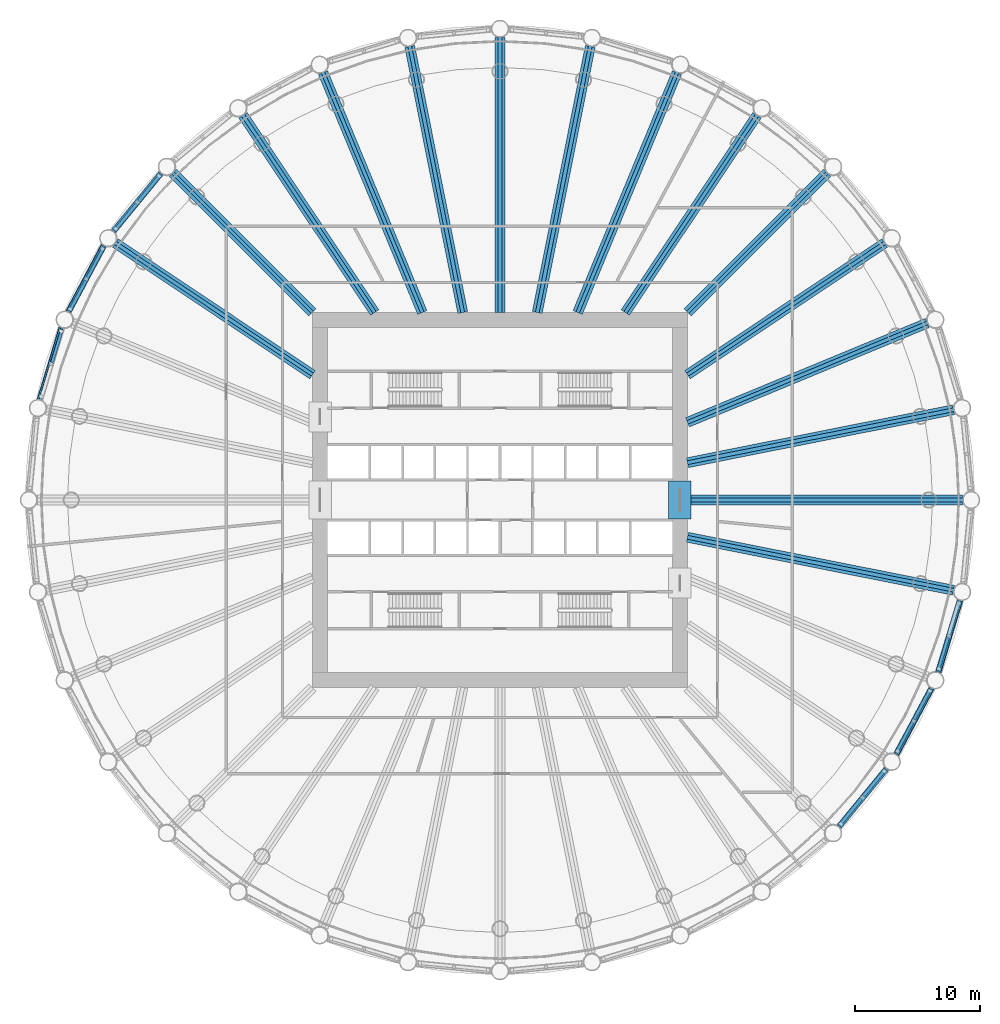
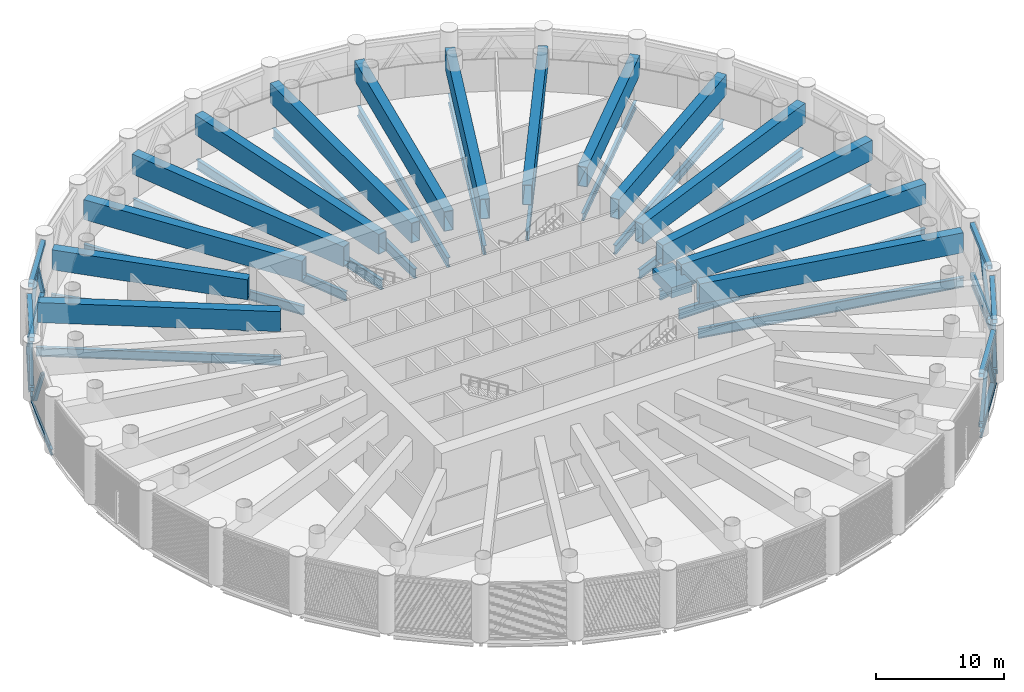
# One storey, part 3 of 26: 37 beams, 26 members, 6 elements without a shape of their own.
"""IFC4 building model written with IfcOpenShell, lengths in metres."""

from ifc_helpers import new_model, si_unit, direction, frame, origin, origin_2d, place, context, subcontext, project, spatial, rectangle, hollow_rectangle, i_section, extrude, material, material_profile, profile_set, type_object, element, aggregate, save


model = new_model("IFC4")

# Units and contexts
model_context = context("Model", 3, precision=1e-05, world=origin(), true_north=direction((0.0, 1.0)))
body_context = subcontext(model_context, "Body", "Model", "MODEL_VIEW")
ifc_project = project(units=[si_unit("LENGTHUNIT", "METRE"), si_unit("AREAUNIT", "SQUARE_METRE"), si_unit("VOLUMEUNIT", "CUBIC_METRE"), si_unit("PLANEANGLEUNIT", "RADIAN"), si_unit("MASSUNIT", "GRAM", prefix="KILO")], contexts=[model_context])

# Site, building, storey
site_placement = place(None, origin())
site = spatial("IfcSite", under=ifc_project, at=site_placement, CompositionType="ELEMENT")
building_placement = place(site_placement, origin())
building = spatial("IfcBuilding", under=site, at=building_placement, Name="Corvane Civic Tower", CompositionType="ELEMENT")
storey_placement = place(building_placement, frame((0.0, 0.0, 85.0)))
storey = spatial("IfcBuildingStorey", under=building, at=storey_placement, Name="L19", CompositionType="ELEMENT", Elevation=85.0)

# Members
ifc_material_1 = material(Name="Steel ASTM A500 Gr C", Category="steel")
ifc_material_profile_1 = material_profile(ifc_material_1, hollow_rectangle(XDim=0.406494140625, YDim=0.406494140625, WallThickness=0.0146484375, at=origin_2d()), Name="HSS16X16X5/8")
ifc_profile_set_1 = profile_set([ifc_material_profile_1], Name="Steel ASTM A500 Gr C")
member_type_1 = type_object("IfcMemberType", Name="BELT CHORD HSS16X16X5/8", PredefinedType="CHORD", material=ifc_profile_set_1)
for number, where, z_axis, x_axis, name in (
    (1, (36.7724609375, -8.02490234375, 4.94677734375), (-0.290300347181, -0.956935582172, 0.0), (0.956935582172, -0.290300347181, 0.0), "Belt truss BT-L19"),
    (2, (36.7724609375, -8.02490234375, 0.203125), (-0.290300347181, -0.956935582172, 0.0), (0.956935582172, -0.290300347181, 0.0), "Belt truss BT-L19"),
):
    element("IfcMember", number, at=place(storey_placement, frame(where, z_axis=z_axis, x_axis=x_axis)), inside=storey, type_object=member_type_1, Name=name, PredefinedType="CHORD", context=body_context, shape_type="SweptSolid", body=[
        extrude(hollow_rectangle(XDim=0.406494140625, YDim=0.406494140625, WallThickness=0.0146484375, at=origin_2d()), origin(), (0.0, 0.0, 1.0), 5.990478515625),
    ])
for number, where, z_axis, x_axis, name in (
    (3, (34.500244140625, -15.044677734375, 4.94677734375), (-0.471387655772, -0.881926118213, 0.0), (0.881926118213, -0.471387655772, 0.0), "Belt truss BT-L19"),
    (4, (34.500244140625, -15.044677734375, 0.203125), (-0.471387655772, -0.881926118213, 0.0), (0.881926118213, -0.471387655772, 0.0), "Belt truss BT-L19"),
):
    element("IfcMember", number, at=place(storey_placement, frame(where, z_axis=z_axis, x_axis=x_axis)), inside=storey, type_object=member_type_1, Name=name, PredefinedType="CHORD", context=body_context, shape_type="SweptSolid", body=[
        extrude(hollow_rectangle(XDim=0.406494140625, YDim=0.406494140625, WallThickness=0.0146484375, at=origin_2d()), origin(), (0.0, 0.0, 1.0), 5.990234375),
    ])
for number, where, z_axis, x_axis, name in (
    (5, (30.90234375, -21.486083984375, 4.94677734375), (-0.634377812851, -0.773023150081, 0.0), (0.773023150081, -0.634377812851, 0.0), "Belt truss BT-L19"),
    (6, (30.90234375, -21.486083984375, 0.203125), (-0.634377812851, -0.773023150081, 0.0), (0.773023150081, -0.634377812851, 0.0), "Belt truss BT-L19"),
):
    element("IfcMember", number, at=place(storey_placement, frame(where, z_axis=z_axis, x_axis=x_axis)), inside=storey, type_object=member_type_1, Name=name, PredefinedType="CHORD", context=body_context, shape_type="SweptSolid", body=[
        extrude(hollow_rectangle(XDim=0.406494140625, YDim=0.406494140625, WallThickness=0.0146484375, at=origin_2d()), origin(), (0.0, 0.0, 1.0), 5.990478515625),
    ])
for number, where, z_axis, x_axis, name in (
    (7, (-34.500244140625, 15.044677734375, 4.94677734375), (0.471387655772, 0.881926118213, 0.0), (-0.881926118213, 0.471387655772, 0.0), "Belt truss BT-L19"),
    (8, (-34.500244140625, 15.044677734375, 0.203125), (0.471387655772, 0.881926118213, 0.0), (-0.881926118213, 0.471387655772, 0.0), "Belt truss BT-L19"),
):
    element("IfcMember", number, at=place(storey_placement, frame(where, z_axis=z_axis, x_axis=x_axis)), inside=storey, type_object=member_type_1, Name=name, PredefinedType="CHORD", context=body_context, shape_type="SweptSolid", body=[
        extrude(hollow_rectangle(XDim=0.406494140625, YDim=0.406494140625, WallThickness=0.0146484375, at=origin_2d()), origin(), (0.0, 0.0, 1.0), 5.990234375),
    ])
for number, where, z_axis, x_axis, name in (
    (9, (-30.90234375, 21.486083984375, 4.94677734375), (0.634377812851, 0.773023150081, 0.0), (-0.773023150081, 0.634377812851, 0.0), "Belt truss BT-L19"),
    (10, (-30.90234375, 21.486083984375, 0.203125), (0.634377812851, 0.773023150081, 0.0), (-0.773023150081, 0.634377812851, 0.0), "Belt truss BT-L19"),
):
    element("IfcMember", number, at=place(storey_placement, frame(where, z_axis=z_axis, x_axis=x_axis)), inside=storey, type_object=member_type_1, Name=name, PredefinedType="CHORD", context=body_context, shape_type="SweptSolid", body=[
        extrude(hollow_rectangle(XDim=0.406494140625, YDim=0.406494140625, WallThickness=0.0146484375, at=origin_2d()), origin(), (0.0, 0.0, 1.0), 5.990478515625),
    ])
ifc_material_2 = material(Name="Steel ASTM A500 Gr C", Category="steel")
ifc_material_profile_2 = material_profile(ifc_material_2, hollow_rectangle(XDim=0.3046875, YDim=0.3046875, WallThickness=0.01171875, at=origin_2d()), Name="HSS12X12X1/2")
ifc_profile_set_2 = profile_set([ifc_material_profile_2], Name="Steel ASTM A500 Gr C")
member_type_2 = type_object("IfcMemberType", Name="BELT DIAGONAL HSS12X12X1/2", PredefinedType="BRACE", material=ifc_profile_set_2)
member_1_placement = place(storey_placement, frame((35.106201171875, -13.51806640625, 0.406494140625), z_axis=(0.155201572288, 0.511789432368, 0.844975768218), x_axis=(-0.956965292503, 0.290202393071, 0.0)))
element("IfcMember", 11, at=member_1_placement, inside=storey, type_object=member_type_2, Name="Belt truss BT-L19", PredefinedType="BRACE", context=body_context, shape_type="SweptSolid", body=[
    extrude(hollow_rectangle(XDim=0.3046875, YDim=0.3046875, WallThickness=0.01171875, at=origin_2d()), origin(), (0.0, 0.0, 1.0), 5.1328125),
])
member_2_placement = place(storey_placement, frame((34.382568359375, -15.26513671875, 0.406494140625), z_axis=(-0.252130674357, -0.471680795624, 0.844954052057), x_axis=(0.881911908115, -0.47141424069, 0.0)))
element("IfcMember", 12, at=member_2_placement, inside=storey, type_object=member_type_2, Name="Belt truss BT-L19", PredefinedType="BRACE", context=body_context, shape_type="SweptSolid", body=[
    extrude(hollow_rectangle(XDim=0.3046875, YDim=0.3046875, WallThickness=0.01171875, at=origin_2d()), origin(), (0.0, 0.0, 1.0), 5.133056640625),
])
for number, where, z_axis, x_axis, name in (
    (13, (31.794189453125, -20.107177734375, 0.406494140625), (0.252136330684, 0.471643813443, 0.844973007847), (-0.881892142907, 0.471451215163, 0.0), "Belt truss BT-L19"),
    (14, (30.74365234375, -21.679443359375, 0.406494140625), (-0.339272317529, -0.413424223183, 0.844970239857), (0.773025283814, -0.634375212776, 0.0), "Belt truss BT-L19"),
    (15, (27.2607421875, -25.923583984375, 0.406494140625), (0.339272317529, 0.413424223183, 0.844970239857), (-0.773025283814, 0.634375212776, 0.0), "Belt truss BT-L19"),
    (16, (-35.106201171875, 13.51806640625, 0.406494140625), (-0.155201572288, -0.511789432368, 0.844975768218), (0.956965292503, -0.290202393071, 0.0), "Belt truss BT-L19"),
):
    element("IfcMember", number, at=place(storey_placement, frame(where, z_axis=z_axis, x_axis=x_axis)), inside=storey, type_object=member_type_2, Name=name, PredefinedType="BRACE", context=body_context, shape_type="SweptSolid", body=[
        extrude(hollow_rectangle(XDim=0.3046875, YDim=0.3046875, WallThickness=0.01171875, at=origin_2d()), origin(), (0.0, 0.0, 1.0), 5.1328125),
    ])
member_3_placement = place(storey_placement, frame((-34.382568359375, 15.26513671875, 0.406494140625), z_axis=(0.252130674357, 0.471680795624, 0.844954052057), x_axis=(-0.881911908115, 0.47141424069, 0.0)))
element("IfcMember", 17, at=member_3_placement, inside=storey, type_object=member_type_2, Name="Belt truss BT-L19", PredefinedType="BRACE", context=body_context, shape_type="SweptSolid", body=[
    extrude(hollow_rectangle(XDim=0.3046875, YDim=0.3046875, WallThickness=0.01171875, at=origin_2d()), origin(), (0.0, 0.0, 1.0), 5.133056640625),
])
for number, where, z_axis, x_axis, name in (
    (18, (-31.794189453125, 20.107177734375, 0.406494140625), (-0.252136330684, -0.471643813443, 0.844973007847), (0.881892142907, -0.471451215163, 0.0), "Belt truss BT-L19"),
    (19, (-30.74365234375, 21.679443359375, 0.406494140625), (0.339272317529, 0.413424223183, 0.844970239857), (-0.773025283814, 0.634375212776, 0.0), "Belt truss BT-L19"),
    (20, (-27.2607421875, 25.923583984375, 0.406494140625), (-0.339272317529, -0.413424223183, 0.844970239857), (0.773025283814, -0.634375212776, 0.0), "Belt truss BT-L19"),
):
    element("IfcMember", number, at=place(storey_placement, frame(where, z_axis=z_axis, x_axis=x_axis)), inside=storey, type_object=member_type_2, Name=name, PredefinedType="BRACE", context=body_context, shape_type="SweptSolid", body=[
        extrude(hollow_rectangle(XDim=0.3046875, YDim=0.3046875, WallThickness=0.01171875, at=origin_2d()), origin(), (0.0, 0.0, 1.0), 5.1328125),
    ])

# Beams
ifc_material_3 = material(Name="Concrete C80/95", Category="concrete")
ifc_material_profile_3 = material_profile(ifc_material_3, rectangle(XDim=1.800048828125, YDim=1.0, at=origin_2d()), Name="COUPLING BEAM 1800X1000")
ifc_profile_set_3 = profile_set([ifc_material_profile_3], Name="Concrete C80/95")
beam_type_1 = type_object("IfcBeamType", Name="COUPLING BEAM COUPLING BEAM 1800X1000", PredefinedType="BEAM", material=ifc_profile_set_3)
beam_1_placement = place(storey_placement, frame((14.39990234375, -1.5, 2.60009765625), z_axis=(0.0, 1.0, 0.0), x_axis=(-1.0, 0.0, 0.0)))
element("IfcBeam", 21, at=beam_1_placement, inside=storey, type_object=beam_type_1, Name="BM-L19-cpl-CW-LE", PredefinedType="BEAM", context=body_context, shape_type="SweptSolid", body=[
    extrude(rectangle(XDim=1.800048828125, YDim=1.0, at=origin_2d()), origin(), (0.0, 0.0, 1.0), 3.0),
])
ifc_material_4 = material(Name="Steel ASTM A992 Gr 50", Category="steel")
ifc_material_profile_4 = material_profile(ifc_material_4, i_section(OverallWidth=0.209228515625, OverallDepth=0.533447265625, WebThickness=0.01025390625, FlangeThickness=0.015625, at=origin_2d()), Name="W21X62")
ifc_profile_set_4 = profile_set([ifc_material_profile_4], Name="Steel ASTM A992 Gr 50")
beam_type_2 = type_object("IfcBeamType", Name="EDGE BEAM W21X62", PredefinedType="BEAM", material=ifc_profile_set_4)
for number, where, z_axis, x_axis, name in (
    (22, (36.81591796875, -7.88134765625, -0.61669921875), (-0.290273452184, -0.956943740748, 0.0), (0.956943740748, -0.290273452184, 0.0), "BM-L19-E10"),
    (23, (34.571044921875, -14.912353515625, -0.61669921875), (-0.471405897311, -0.881916367906, 0.0), (0.881916367906, -0.471405897311, 0.0), "BM-L19-E11"),
):
    element("IfcBeam", number, at=place(storey_placement, frame(where, z_axis=z_axis, x_axis=x_axis)), inside=storey, type_object=beam_type_2, Name=name, PredefinedType="BEAM", context=body_context, shape_type="SweptSolid", body=[
        extrude(i_section(OverallWidth=0.209228515625, OverallDepth=0.533447265625, WebThickness=0.01025390625, FlangeThickness=0.015625, at=origin_2d()), origin(), (0.0, 0.0, 1.0), 6.290283203125),
    ])
beam_2_placement = place(storey_placement, frame((30.99755859375, -21.3701171875, -0.61669921875), z_axis=(-0.634386787141, -0.773015785286, 0.0), x_axis=(0.773015785286, -0.634386787141, 0.0)))
element("IfcBeam", 24, at=beam_2_placement, inside=storey, type_object=beam_type_2, Name="BM-L19-E12", PredefinedType="BEAM", context=body_context, shape_type="SweptSolid", body=[
    extrude(i_section(OverallWidth=0.209228515625, OverallDepth=0.533447265625, WebThickness=0.01025390625, FlangeThickness=0.015625, at=origin_2d()), origin(), (0.0, 0.0, 1.0), 6.290771484375),
])
for number, where, z_axis, x_axis, name in (
    (25, (-36.81591796875, 7.88134765625, -0.61669921875), (0.290273452184, 0.956943740748, 0.0), (-0.956943740748, 0.290273452184, 0.0), "BM-L19-E26"),
    (26, (-34.571044921875, 14.912353515625, -0.61669921875), (0.471405897311, 0.881916367906, 0.0), (-0.881916367906, 0.471405897311, 0.0), "BM-L19-E27"),
):
    element("IfcBeam", number, at=place(storey_placement, frame(where, z_axis=z_axis, x_axis=x_axis)), inside=storey, type_object=beam_type_2, Name=name, PredefinedType="BEAM", context=body_context, shape_type="SweptSolid", body=[
        extrude(i_section(OverallWidth=0.209228515625, OverallDepth=0.533447265625, WebThickness=0.01025390625, FlangeThickness=0.015625, at=origin_2d()), origin(), (0.0, 0.0, 1.0), 6.290283203125),
    ])
beam_3_placement = place(storey_placement, frame((-30.99755859375, 21.3701171875, -0.61669921875), z_axis=(0.634386787141, 0.773015785286, 0.0), x_axis=(-0.773015785286, 0.634386787141, 0.0)))
element("IfcBeam", 27, at=beam_3_placement, inside=storey, type_object=beam_type_2, Name="BM-L19-E28", PredefinedType="BEAM", context=body_context, shape_type="SweptSolid", body=[
    extrude(i_section(OverallWidth=0.209228515625, OverallDepth=0.533447265625, WebThickness=0.01025390625, FlangeThickness=0.015625, at=origin_2d()), origin(), (0.0, 0.0, 1.0), 6.290771484375),
])
ifc_material_5 = material(Name="Steel ASTM A992 Gr 50", Category="steel")
ifc_material_profile_5 = material_profile(ifc_material_5, i_section(OverallWidth=0.256591796875, OverallDepth=0.693359375, WebThickness=0.014404296875, FlangeThickness=0.023681640625, at=origin_2d()), Name="W27X114")
ifc_profile_set_5 = profile_set([ifc_material_profile_5], Name="Steel ASTM A992 Gr 50")
beam_type_3 = type_object("IfcBeamType", Name="FLOOR GIRDER W27X114", PredefinedType="BEAM", material=ifc_profile_set_5)
for number, where, z_axis, x_axis, name in (
    (28, (15.0, 15.0, -0.69677734375), (0.707106781187, 0.707106781187, 0.0), (-0.707106781187, 0.707106781187, 0.0), "BM-L19-G05"),
    (29, (-15.0, 15.0, -0.69677734375), (-0.707106781187, 0.707106781187, 0.0), (-0.707106781187, -0.707106781187, 0.0), "BM-L19-G29"),
):
    element("IfcBeam", number, at=place(storey_placement, frame(where, z_axis=z_axis, x_axis=x_axis)), inside=storey, type_object=beam_type_3, Name=name, PredefinedType="BEAM", context=body_context, shape_type="SweptSolid", body=[
        extrude(i_section(OverallWidth=0.256591796875, OverallDepth=0.693359375, WebThickness=0.014404296875, FlangeThickness=0.023681640625, at=origin_2d()), origin(), (0.0, 0.0, 1.0), 15.936767578125),
    ])
ifc_material_6 = material(Name="Steel ASTM A992 Gr 50", Category="steel")
ifc_material_profile_6 = material_profile(ifc_material_6, i_section(OverallWidth=0.2919921875, OverallDepth=0.8583984375, WebThickness=0.01708984375, FlangeThickness=0.031005859375, at=origin_2d()), Name="W33X169")
ifc_profile_set_6 = profile_set([ifc_material_profile_6], Name="Steel ASTM A992 Gr 50")
beam_type_4 = type_object("IfcBeamType", Name="FLOOR GIRDER W33X169", PredefinedType="BEAM", material=ifc_profile_set_6)
beam_4_placement = place(storey_placement, frame((6.213134765625, 15.0, -0.779296875), z_axis=(0.382692360381, 0.923875834355, 0.0), x_axis=(-0.923875834355, 0.382692360381, 0.0)))
element("IfcBeam", 30, at=beam_4_placement, inside=storey, type_object=beam_type_4, Name="BM-L19-G03", PredefinedType="BEAM", context=body_context, shape_type="SweptSolid", body=[
    extrude(i_section(OverallWidth=0.2919921875, OverallDepth=0.8583984375, WebThickness=0.01708984375, FlangeThickness=0.031005859375, at=origin_2d()), origin(), (0.0, 0.0, 1.0), 20.9140625),
])
for number, where, z_axis, x_axis, name in (
    (31, (10.022705078125, 15.0, -0.779296875), (0.555566681385, 0.831471985418, 0.0), (-0.831471985418, 0.555566681385, 0.0), "BM-L19-G04"),
    (32, (15.0, 10.022705078125, -0.779296875), (0.831471985418, 0.555566681385, 0.0), (-0.555566681385, 0.831471985418, 0.0), "BM-L19-G06"),
):
    element("IfcBeam", number, at=place(storey_placement, frame(where, z_axis=z_axis, x_axis=x_axis)), inside=storey, type_object=beam_type_4, Name=name, PredefinedType="BEAM", context=body_context, shape_type="SweptSolid", body=[
        extrude(i_section(OverallWidth=0.2919921875, OverallDepth=0.8583984375, WebThickness=0.01708984375, FlangeThickness=0.031005859375, at=origin_2d()), origin(), (0.0, 0.0, 1.0), 19.109619140625),
    ])
beam_5_placement = place(storey_placement, frame((15.0, 6.213134765625, -0.779296875), z_axis=(0.923875834355, 0.382692360381, 0.0), x_axis=(-0.382692360381, 0.923875834355, 0.0)))
element("IfcBeam", 33, at=beam_5_placement, inside=storey, type_object=beam_type_4, Name="BM-L19-G07", PredefinedType="BEAM", context=body_context, shape_type="SweptSolid", body=[
    extrude(i_section(OverallWidth=0.2919921875, OverallDepth=0.8583984375, WebThickness=0.01708984375, FlangeThickness=0.031005859375, at=origin_2d()), origin(), (0.0, 0.0, 1.0), 20.9140625),
])
for number, where, z_axis, x_axis, name in (
    (34, (-15.0, 10.022705078125, -0.779296875), (-0.831471985418, 0.555566681385, 0.0), (-0.555566681385, -0.831471985418, 0.0), "BM-L19-G28"),
    (35, (-10.022705078125, 15.0, -0.779296875), (-0.555566681385, 0.831471985418, 0.0), (-0.831471985418, -0.555566681385, 0.0), "BM-L19-G30"),
):
    element("IfcBeam", number, at=place(storey_placement, frame(where, z_axis=z_axis, x_axis=x_axis)), inside=storey, type_object=beam_type_4, Name=name, PredefinedType="BEAM", context=body_context, shape_type="SweptSolid", body=[
        extrude(i_section(OverallWidth=0.2919921875, OverallDepth=0.8583984375, WebThickness=0.01708984375, FlangeThickness=0.031005859375, at=origin_2d()), origin(), (0.0, 0.0, 1.0), 19.109619140625),
    ])
beam_6_placement = place(storey_placement, frame((-6.213134765625, 15.0, -0.779296875), z_axis=(-0.382692360381, 0.923875834355, 0.0), x_axis=(-0.923875834355, -0.382692360381, 0.0)))
element("IfcBeam", 36, at=beam_6_placement, inside=storey, type_object=beam_type_4, Name="BM-L19-G31", PredefinedType="BEAM", context=body_context, shape_type="SweptSolid", body=[
    extrude(i_section(OverallWidth=0.2919921875, OverallDepth=0.8583984375, WebThickness=0.01708984375, FlangeThickness=0.031005859375, at=origin_2d()), origin(), (0.0, 0.0, 1.0), 20.9140625),
])
ifc_material_7 = material(Name="Steel ASTM A992 Gr 50", Category="steel")
ifc_material_profile_7 = material_profile(ifc_material_7, i_section(OverallWidth=0.307373046875, OverallDepth=0.927001953125, WebThickness=0.01953125, FlangeThickness=0.031982421875, at=origin_2d()), Name="W36X194")
ifc_profile_set_7 = profile_set([ifc_material_profile_7], Name="Steel ASTM A992 Gr 50")
beam_type_5 = type_object("IfcBeamType", Name="FLOOR GIRDER W36X194", PredefinedType="BEAM", material=ifc_profile_set_7)
beam_7_placement = place(storey_placement, frame((0.0, 15.0, -0.8134765625), z_axis=(0.0, 1.0, 0.0), x_axis=(-1.0, 0.0, 0.0)))
element("IfcBeam", 37, at=beam_7_placement, inside=storey, type_object=beam_type_5, Name="BM-L19-G01", PredefinedType="BEAM", context=body_context, shape_type="SweptSolid", body=[
    extrude(i_section(OverallWidth=0.307373046875, OverallDepth=0.927001953125, WebThickness=0.01953125, FlangeThickness=0.031982421875, at=origin_2d()), origin(), (0.0, 0.0, 1.0), 22.14990234375),
])
for number, where, z_axis, x_axis, name in (
    (38, (2.983642578125, 15.0, -0.8134765625), (0.195089219638, 0.980785499679, 0.0), (-0.980785499679, 0.195089219638, 0.0), "BM-L19-G02"),
    (39, (15.0, 2.983642578125, -0.8134765625), (0.980785499679, 0.195089219638, 0.0), (-0.195089219638, 0.980785499679, 0.0), "BM-L19-G08"),
):
    element("IfcBeam", number, at=place(storey_placement, frame(where, z_axis=z_axis, x_axis=x_axis)), inside=storey, type_object=beam_type_5, Name=name, PredefinedType="BEAM", context=body_context, shape_type="SweptSolid", body=[
        extrude(i_section(OverallWidth=0.307373046875, OverallDepth=0.927001953125, WebThickness=0.01953125, FlangeThickness=0.031982421875, at=origin_2d()), origin(), (0.0, 0.0, 1.0), 21.856201171875),
    ])
beam_8_placement = place(storey_placement, frame((15.0, 0.0, -0.8134765625), z_axis=(1.0, 0.0, 0.0), x_axis=(0.0, 1.0, 0.0)))
element("IfcBeam", 40, at=beam_8_placement, inside=storey, type_object=beam_type_5, Name="BM-L19-G09", PredefinedType="BEAM", context=body_context, shape_type="SweptSolid", body=[
    extrude(i_section(OverallWidth=0.307373046875, OverallDepth=0.927001953125, WebThickness=0.01953125, FlangeThickness=0.031982421875, at=origin_2d()), origin(), (0.0, 0.0, 1.0), 22.14990234375),
])
for number, where, z_axis, x_axis, name in (
    (41, (15.0, -2.983642578125, -0.8134765625), (0.980785499679, -0.195089219638, 0.0), (0.195089219638, 0.980785499679, 0.0), "BM-L19-G10"),
    (42, (-2.983642578125, 15.0, -0.8134765625), (-0.195089219638, 0.980785499679, 0.0), (-0.980785499679, -0.195089219638, 0.0), "BM-L19-G32"),
):
    element("IfcBeam", number, at=place(storey_placement, frame(where, z_axis=z_axis, x_axis=x_axis)), inside=storey, type_object=beam_type_5, Name=name, PredefinedType="BEAM", context=body_context, shape_type="SweptSolid", body=[
        extrude(i_section(OverallWidth=0.307373046875, OverallDepth=0.927001953125, WebThickness=0.01953125, FlangeThickness=0.031982421875, at=origin_2d()), origin(), (0.0, 0.0, 1.0), 21.856201171875),
    ])

# Curtain wall, member
ifc_material_8 = material(Name="Anodised aluminium bronze", Category="aluminium")
curtain_wall_type = type_object("IfcCurtainWallType", Name="TOWER CW-LV LOUVRE SCREEN WALL", PredefinedType="NOTDEFINED", material=ifc_material_8)
curtain_wall_1_placement = place(storey_placement, origin())
curtain_wall_1 = element("IfcCurtainWall", 43, at=curtain_wall_1_placement, inside=storey, type_object=curtain_wall_type, Name="Louvre screen wall CW-LV L19 bay 10", PredefinedType="NOTDEFINED")
ifc_material_9 = material(Name="Anodised aluminium bronze", Category="aluminium")
ifc_material_profile_8 = material_profile(ifc_material_9, rectangle(XDim=0.139892578125, YDim=0.1201171875, at=origin_2d()), Name="TOWER CW-LV TRANSOM 140x120")
ifc_profile_set_8 = profile_set([ifc_material_profile_8], Name="Anodised aluminium bronze")
member_type_3 = type_object("IfcMemberType", Name="TOWER CW-LV TRANSOM 140x120", PredefinedType="USERDEFINED", material=ifc_profile_set_8)
member_4_placement = place(storey_placement, frame((36.959228515625, -8.02587890625, 0.06005859375), z_axis=(-0.29027077816, -0.956944551866, 0.0), x_axis=(0.956944551866, -0.29027077816, 0.0)))
member_4 = element("IfcMember", 44, at=member_4_placement, type_object=member_type_3, Name="Transom CW-LV L19 10.1", ObjectType="TRANSOM", PredefinedType="USERDEFINED", context=body_context, shape_type="SweptSolid", body=[
    extrude(rectangle(XDim=0.139892578125, YDim=0.1201171875, at=origin_2d()), origin(), (0.0, 0.0, 1.0), 6.096923828125),
])
aggregate(curtain_wall_1, [member_4])

curtain_wall_2_placement = place(storey_placement, origin())
curtain_wall_2 = element("IfcCurtainWall", 45, at=curtain_wall_2_placement, inside=storey, type_object=curtain_wall_type, Name="Louvre screen wall CW-LV L19 bay 11", PredefinedType="NOTDEFINED")
member_5_placement = place(storey_placement, frame((34.683349609375, -15.08203125, 0.06005859375), z_axis=(-0.47137780817, -0.881931381664, 0.0), x_axis=(0.881931381664, -0.47137780817, 0.0)))
member_5 = element("IfcMember", 46, at=member_5_placement, type_object=member_type_3, Name="Transom CW-LV L19 11.1", ObjectType="TRANSOM", PredefinedType="USERDEFINED", context=body_context, shape_type="SweptSolid", body=[
    extrude(rectangle(XDim=0.139892578125, YDim=0.1201171875, at=origin_2d()), origin(), (0.0, 0.0, 1.0), 6.09716796875),
])
aggregate(curtain_wall_2, [member_5])

curtain_wall_3_placement = place(storey_placement, origin())
curtain_wall_3 = element("IfcCurtainWall", 47, at=curtain_wall_3_placement, inside=storey, type_object=curtain_wall_type, Name="Louvre screen wall CW-LV L19 bay 12", PredefinedType="NOTDEFINED")
member_6_placement = place(storey_placement, frame((31.074462890625, -21.55859375, 0.06005859375), z_axis=(-0.634388401677, -0.77301446029, 0.0), x_axis=(0.77301446029, -0.634388401677, 0.0)))
member_6 = element("IfcMember", 48, at=member_6_placement, type_object=member_type_3, Name="Transom CW-LV L19 12.1", ObjectType="TRANSOM", PredefinedType="USERDEFINED", context=body_context, shape_type="SweptSolid", body=[
    extrude(rectangle(XDim=0.139892578125, YDim=0.1201171875, at=origin_2d()), origin(), (0.0, 0.0, 1.0), 6.09716796875),
])
aggregate(curtain_wall_3, [member_6])

curtain_wall_4_placement = place(storey_placement, origin())
curtain_wall_4 = element("IfcCurtainWall", 49, at=curtain_wall_4_placement, inside=storey, type_object=curtain_wall_type, Name="Louvre screen wall CW-LV L19 bay 26", PredefinedType="NOTDEFINED")
member_7_placement = place(storey_placement, frame((-36.959228515625, 8.02587890625, 0.06005859375), z_axis=(0.29027077816, 0.956944551866, 0.0), x_axis=(-0.956944551866, 0.29027077816, 0.0)))
member_7 = element("IfcMember", 50, at=member_7_placement, type_object=member_type_3, Name="Transom CW-LV L19 26.1", ObjectType="TRANSOM", PredefinedType="USERDEFINED", context=body_context, shape_type="SweptSolid", body=[
    extrude(rectangle(XDim=0.139892578125, YDim=0.1201171875, at=origin_2d()), origin(), (0.0, 0.0, 1.0), 6.096923828125),
])
aggregate(curtain_wall_4, [member_7])

curtain_wall_5_placement = place(storey_placement, origin())
curtain_wall_5 = element("IfcCurtainWall", 51, at=curtain_wall_5_placement, inside=storey, type_object=curtain_wall_type, Name="Louvre screen wall CW-LV L19 bay 27", PredefinedType="NOTDEFINED")
member_8_placement = place(storey_placement, frame((-34.683349609375, 15.08203125, 0.06005859375), z_axis=(0.47137780817, 0.881931381664, 0.0), x_axis=(-0.881931381664, 0.47137780817, 0.0)))
member_8 = element("IfcMember", 52, at=member_8_placement, type_object=member_type_3, Name="Transom CW-LV L19 27.1", ObjectType="TRANSOM", PredefinedType="USERDEFINED", context=body_context, shape_type="SweptSolid", body=[
    extrude(rectangle(XDim=0.139892578125, YDim=0.1201171875, at=origin_2d()), origin(), (0.0, 0.0, 1.0), 6.09716796875),
])
aggregate(curtain_wall_5, [member_8])

curtain_wall_6_placement = place(storey_placement, origin())
curtain_wall_6 = element("IfcCurtainWall", 53, at=curtain_wall_6_placement, inside=storey, type_object=curtain_wall_type, Name="Louvre screen wall CW-LV L19 bay 28", PredefinedType="NOTDEFINED")
member_9_placement = place(storey_placement, frame((-31.074462890625, 21.55859375, 0.06005859375), z_axis=(0.634388401677, 0.77301446029, 0.0), x_axis=(-0.77301446029, 0.634388401677, 0.0)))
member_9 = element("IfcMember", 54, at=member_9_placement, type_object=member_type_3, Name="Transom CW-LV L19 28.1", ObjectType="TRANSOM", PredefinedType="USERDEFINED", context=body_context, shape_type="SweptSolid", body=[
    extrude(rectangle(XDim=0.139892578125, YDim=0.1201171875, at=origin_2d()), origin(), (0.0, 0.0, 1.0), 6.09716796875),
])
aggregate(curtain_wall_6, [member_9])

# Beams
ifc_material_10 = material(Name="Steel ASTM A572 Gr 50", Category="steel")
ifc_material_profile_9 = material_profile(ifc_material_10, hollow_rectangle(XDim=0.800048828125, YDim=1.89990234375, WallThickness=0.050048828125, at=origin_2d()), Name="BOX1900X800X50")
ifc_profile_set_9 = profile_set([ifc_material_profile_9], Name="Steel ASTM A572 Gr 50")
beam_type_6 = type_object("IfcBeamType", Name="TRANSFER GIRDER BOX1900X800X50", PredefinedType="BEAM", material=ifc_profile_set_9)
beam_9_placement = place(storey_placement, frame((0.0, 15.0, 3.14990234375), z_axis=(0.0, 1.0, 0.0), x_axis=(-1.0, 0.0, 0.0)))
element("IfcBeam", 55, at=beam_9_placement, inside=storey, type_object=beam_type_6, Name="Transfer girder TG-L19-1", PredefinedType="BEAM", context=body_context, shape_type="SweptSolid", body=[
    extrude(hollow_rectangle(XDim=0.800048828125, YDim=1.89990234375, WallThickness=0.050048828125, at=origin_2d()), origin(), (0.0, 0.0, 1.0), 22.0),
])
beam_10_placement = place(storey_placement, frame((2.983642578125, 15.0, 3.14990234375), z_axis=(0.19508860783, 0.980785621375, 0.0), x_axis=(-0.980785621375, 0.19508860783, 0.0)))
element("IfcBeam", 56, at=beam_10_placement, inside=storey, type_object=beam_type_6, Name="Transfer girder TG-L19-2", PredefinedType="BEAM", context=body_context, shape_type="SweptSolid", body=[
    extrude(hollow_rectangle(XDim=0.800048828125, YDim=1.89990234375, WallThickness=0.050048828125, at=origin_2d()), origin(), (0.0, 0.0, 1.0), 21.7060546875),
])
beam_11_placement = place(storey_placement, frame((6.213134765625, 15.0, 3.14990234375), z_axis=(0.382680974801, 0.923880550464, 0.0), x_axis=(-0.923880550464, 0.382680974801, 0.0)))
element("IfcBeam", 57, at=beam_11_placement, inside=storey, type_object=beam_type_6, Name="Transfer girder TG-L19-3", PredefinedType="BEAM", context=body_context, shape_type="SweptSolid", body=[
    extrude(hollow_rectangle(XDim=0.800048828125, YDim=1.89990234375, WallThickness=0.050048828125, at=origin_2d()), origin(), (0.0, 0.0, 1.0), 20.76416015625),
])
beam_12_placement = place(storey_placement, frame((10.022705078125, 15.0, 3.14990234375), z_axis=(0.555570563926, 0.831469391198, 0.0), x_axis=(-0.831469391198, 0.555570563926, 0.0)))
element("IfcBeam", 58, at=beam_12_placement, inside=storey, type_object=beam_type_6, Name="Transfer girder TG-L19-4", PredefinedType="BEAM", context=body_context, shape_type="SweptSolid", body=[
    extrude(hollow_rectangle(XDim=0.800048828125, YDim=1.89990234375, WallThickness=0.050048828125, at=origin_2d()), origin(), (0.0, 0.0, 1.0), 18.959716796875),
])
beam_13_placement = place(storey_placement, frame((15.0, 15.0, 3.14990234375), z_axis=(0.707106781187, 0.707106781187, 0.0), x_axis=(-0.707106781187, 0.707106781187, 0.0)))
element("IfcBeam", 59, at=beam_13_placement, inside=storey, type_object=beam_type_6, Name="Transfer girder TG-L19-5", PredefinedType="BEAM", context=body_context, shape_type="SweptSolid", body=[
    extrude(hollow_rectangle(XDim=0.800048828125, YDim=1.89990234375, WallThickness=0.050048828125, at=origin_2d()), origin(), (0.0, 0.0, 1.0), 15.78662109375),
])
beam_14_placement = place(storey_placement, frame((15.0, 10.022705078125, 3.14990234375), z_axis=(0.831469391198, 0.555570563926, 0.0), x_axis=(-0.555570563926, 0.831469391198, 0.0)))
element("IfcBeam", 60, at=beam_14_placement, inside=storey, type_object=beam_type_6, Name="Transfer girder TG-L19-6", PredefinedType="BEAM", context=body_context, shape_type="SweptSolid", body=[
    extrude(hollow_rectangle(XDim=0.800048828125, YDim=1.89990234375, WallThickness=0.050048828125, at=origin_2d()), origin(), (0.0, 0.0, 1.0), 18.959716796875),
])
beam_15_placement = place(storey_placement, frame((15.0, 6.213134765625, 3.14990234375), z_axis=(0.923880550464, 0.382680974801, 0.0), x_axis=(-0.382680974801, 0.923880550464, 0.0)))
element("IfcBeam", 61, at=beam_15_placement, inside=storey, type_object=beam_type_6, Name="Transfer girder TG-L19-7", PredefinedType="BEAM", context=body_context, shape_type="SweptSolid", body=[
    extrude(hollow_rectangle(XDim=0.800048828125, YDim=1.89990234375, WallThickness=0.050048828125, at=origin_2d()), origin(), (0.0, 0.0, 1.0), 20.76416015625),
])
beam_16_placement = place(storey_placement, frame((15.0, 2.983642578125, 3.14990234375), z_axis=(0.980785621375, 0.19508860783, 0.0), x_axis=(-0.19508860783, 0.980785621375, 0.0)))
element("IfcBeam", 62, at=beam_16_placement, inside=storey, type_object=beam_type_6, Name="Transfer girder TG-L19-8", PredefinedType="BEAM", context=body_context, shape_type="SweptSolid", body=[
    extrude(hollow_rectangle(XDim=0.800048828125, YDim=1.89990234375, WallThickness=0.050048828125, at=origin_2d()), origin(), (0.0, 0.0, 1.0), 21.7060546875),
])
beam_17_placement = place(storey_placement, frame((15.0, 0.0, 3.14990234375), z_axis=(1.0, 0.0, 0.0), x_axis=(0.0, 1.0, 0.0)))
element("IfcBeam", 63, at=beam_17_placement, inside=storey, type_object=beam_type_6, Name="Transfer girder TG-L19-9", PredefinedType="BEAM", context=body_context, shape_type="SweptSolid", body=[
    extrude(hollow_rectangle(XDim=0.800048828125, YDim=1.89990234375, WallThickness=0.050048828125, at=origin_2d()), origin(), (0.0, 0.0, 1.0), 22.0),
])
beam_18_placement = place(storey_placement, frame((15.0, -2.983642578125, 3.14990234375), z_axis=(0.980785621375, -0.19508860783, 0.0), x_axis=(0.19508860783, 0.980785621375, 0.0)))
element("IfcBeam", 64, at=beam_18_placement, inside=storey, type_object=beam_type_6, Name="Transfer girder TG-L19-10", PredefinedType="BEAM", context=body_context, shape_type="SweptSolid", body=[
    extrude(hollow_rectangle(XDim=0.800048828125, YDim=1.89990234375, WallThickness=0.050048828125, at=origin_2d()), origin(), (0.0, 0.0, 1.0), 21.7060546875),
])
beam_19_placement = place(storey_placement, frame((-15.0, 10.022705078125, 3.14990234375), z_axis=(-0.831469391198, 0.555570563926, 0.0), x_axis=(-0.555570563926, -0.831469391198, 0.0)))
element("IfcBeam", 65, at=beam_19_placement, inside=storey, type_object=beam_type_6, Name="Transfer girder TG-L19-28", PredefinedType="BEAM", context=body_context, shape_type="SweptSolid", body=[
    extrude(hollow_rectangle(XDim=0.800048828125, YDim=1.89990234375, WallThickness=0.050048828125, at=origin_2d()), origin(), (0.0, 0.0, 1.0), 18.959716796875),
])
beam_20_placement = place(storey_placement, frame((-15.0, 15.0, 3.14990234375), z_axis=(-0.707106781187, 0.707106781187, 0.0), x_axis=(-0.707106781187, -0.707106781187, 0.0)))
element("IfcBeam", 66, at=beam_20_placement, inside=storey, type_object=beam_type_6, Name="Transfer girder TG-L19-29", PredefinedType="BEAM", context=body_context, shape_type="SweptSolid", body=[
    extrude(hollow_rectangle(XDim=0.800048828125, YDim=1.89990234375, WallThickness=0.050048828125, at=origin_2d()), origin(), (0.0, 0.0, 1.0), 15.78662109375),
])
beam_21_placement = place(storey_placement, frame((-10.022705078125, 15.0, 3.14990234375), z_axis=(-0.555570563926, 0.831469391198, 0.0), x_axis=(-0.831469391198, -0.555570563926, 0.0)))
element("IfcBeam", 67, at=beam_21_placement, inside=storey, type_object=beam_type_6, Name="Transfer girder TG-L19-30", PredefinedType="BEAM", context=body_context, shape_type="SweptSolid", body=[
    extrude(hollow_rectangle(XDim=0.800048828125, YDim=1.89990234375, WallThickness=0.050048828125, at=origin_2d()), origin(), (0.0, 0.0, 1.0), 18.959716796875),
])
beam_22_placement = place(storey_placement, frame((-6.213134765625, 15.0, 3.14990234375), z_axis=(-0.382680974801, 0.923880550464, 0.0), x_axis=(-0.923880550464, -0.382680974801, 0.0)))
element("IfcBeam", 68, at=beam_22_placement, inside=storey, type_object=beam_type_6, Name="Transfer girder TG-L19-31", PredefinedType="BEAM", context=body_context, shape_type="SweptSolid", body=[
    extrude(hollow_rectangle(XDim=0.800048828125, YDim=1.89990234375, WallThickness=0.050048828125, at=origin_2d()), origin(), (0.0, 0.0, 1.0), 20.76416015625),
])
beam_23_placement = place(storey_placement, frame((-2.983642578125, 15.0, 3.14990234375), z_axis=(-0.19508860783, 0.980785621375, 0.0), x_axis=(-0.980785621375, -0.19508860783, 0.0)))
element("IfcBeam", 69, at=beam_23_placement, inside=storey, type_object=beam_type_6, Name="Transfer girder TG-L19-32", PredefinedType="BEAM", context=body_context, shape_type="SweptSolid", body=[
    extrude(hollow_rectangle(XDim=0.800048828125, YDim=1.89990234375, WallThickness=0.050048828125, at=origin_2d()), origin(), (0.0, 0.0, 1.0), 21.7060546875),
])

save(model, "model.ifc")
